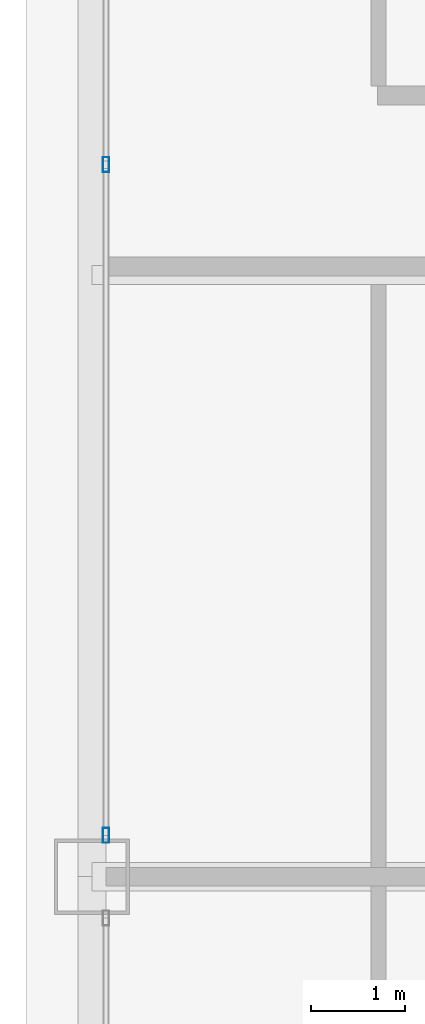
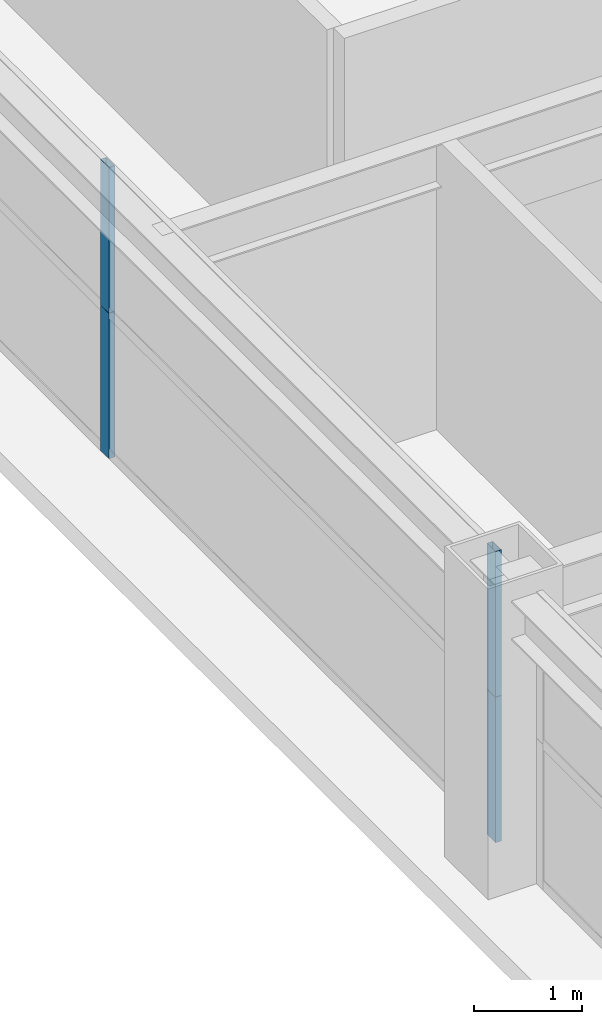
# One storey, part 18 of 45: 4 members, 1 element without a shape of its own.
"""IFC4 building model written with IfcOpenShell, lengths in metres."""

import ifcopenshell
import ifcopenshell.guid

model = None  # the IFC model being written
_history = None  # IfcOwnerHistory: only IFC2X3 demands one
_inside = {}  # id of a spatial element -> (the spatial element, [elements in it])
_under = {}  # id of a project, library or spatial element -> (it, [spatial elements below it])
_declared = {}  # id of a project -> (the project, [libraries it declares])
_typed = {}  # id of a type object -> (the type object, [elements of that type])
_made_of = {}  # id of a material, layer set ... -> (it, [elements and type objects made of it])


def new_model(schema):
    """Start an empty IFC model of exactly this schema.

    Asked for "IFC4X3", IfcOpenShell would pick the latest addendum, in which some entities
    have other attributes; the version numbers below select the first issue.
    IFC2X3 requires an IfcOwnerHistory on every rooted entity: one is made here for all.
    """
    global model, _history
    if schema == "IFC4X3":
        model = ifcopenshell.file(schema_version=(4, 3, 0, 0))
    else:
        model = ifcopenshell.file(schema=schema)
    _inside.clear()
    _under.clear()
    _declared.clear()
    _typed.clear()
    _made_of.clear()
    _history = None
    if model.schema == "IFC2X3":
        org = make("IfcOrganization", Name="unknown")
        user = make(
            "IfcPersonAndOrganization",
            ThePerson=make("IfcPerson", FamilyName="unknown"),
            TheOrganization=org,
        )
        app = make(
            "IfcApplication",
            ApplicationDeveloper=org,
            Version="unknown",
            ApplicationFullName="unknown",
            ApplicationIdentifier="unknown",
        )
        _history = make(
            "IfcOwnerHistory",
            OwningUser=user,
            OwningApplication=app,
            ChangeAction="ADDED",
            CreationDate=0,
        )
    return model


def make(cls, **values):
    """One entity of the class cls with the attributes given. An attribute that is None is left unset."""
    return model.create_entity(
        cls, **{name: value for name, value in values.items() if value is not None}
    )


def rooted(cls, **values):
    """An entity with a GlobalId (a new one), such as an element, a storey or a relation."""
    return make(cls, GlobalId=ifcopenshell.guid.new(), OwnerHistory=_history, **values)


def si_unit(unit_type, name, prefix=None):
    """IfcSIUnit, for example si_unit("LENGTHUNIT", "METRE", prefix="MILLI")."""
    return make("IfcSIUnit", UnitType=unit_type, Prefix=prefix, Name=name)


def assignment(units):
    """IfcUnitAssignment: the units of a project."""
    return None if units is None else make("IfcUnitAssignment", Units=units)


def point(xyz):
    """IfcCartesianPoint."""
    return None if xyz is None else make("IfcCartesianPoint", Coordinates=xyz)


def direction(xyz):
    """IfcDirection."""
    return None if xyz is None else make("IfcDirection", DirectionRatios=xyz)


def frame(location, z_axis=None, x_axis=None):
    """IfcAxis2Placement3D, a coordinate frame: its origin and axes. An axis left out is left unset."""
    return make(
        "IfcAxis2Placement3D",
        Location=point(location),
        Axis=direction(z_axis),
        RefDirection=direction(x_axis),
    )


def frame_2d(location, x_axis=None):
    """IfcAxis2Placement2D, a coordinate frame in the plane: its origin and x axis."""
    return make(
        "IfcAxis2Placement2D", Location=point(location), RefDirection=direction(x_axis)
    )


def origin():
    """The frame at (0, 0, 0) with its axes left unset."""
    return frame((0.0, 0.0, 0.0))


def origin_2d():
    """The frame at (0, 0) in the plane with its x axis left unset."""
    return frame_2d((0.0, 0.0))


def place(relative_to, where):
    """IfcLocalPlacement: puts the frame where relative to a parent placement (None: the world)."""
    return make(
        "IfcLocalPlacement", PlacementRelTo=relative_to, RelativePlacement=where
    )


def context(
    kind, dimensions, precision=None, world=None, true_north=None, identifier=None
):
    """IfcGeometricRepresentationContext, for example the 3D "Model" context."""
    return make(
        "IfcGeometricRepresentationContext",
        ContextIdentifier=identifier,
        ContextType=kind,
        CoordinateSpaceDimension=dimensions,
        Precision=precision,
        WorldCoordinateSystem=world,
        TrueNorth=true_north,
    )


def subcontext(parent, identifier, kind, view, scale=None):
    """IfcGeometricRepresentationSubContext, for example "Body" below "Model"."""
    return make(
        "IfcGeometricRepresentationSubContext",
        ContextIdentifier=identifier,
        ContextType=kind,
        ParentContext=parent,
        TargetScale=scale,
        TargetView=view,
    )


def project(units=None, contexts=None):
    """IfcProject with its units and contexts."""
    return rooted(
        "IfcProject",
        Name="project",
        RepresentationContexts=contexts,
        UnitsInContext=assignment(units),
    )


def spatial(cls, under=None, at=None, **own):
    """A site, building, storey or space (cls), placed at a placement, below another one or the project."""
    s = rooted(cls, ObjectPlacement=at, **own)
    if under is not None:
        _under.setdefault(under.id(), (under, []))[1].append(s)
    return s


def profile(cls, at=None, kind="AREA", **sizes):
    """A parametric profile (cls). Its sizes go by their IFC names, for example OverallWidth=200.0."""
    return make(cls, ProfileType=kind, Position=at, **sizes)


def hollow_rectangle(**sizes):
    """IfcRectangleHollowProfileDef."""
    return profile("IfcRectangleHollowProfileDef", **sizes)


def extrude(swept, where, along, depth):
    """IfcExtrudedAreaSolid: the profile swept, set in the frame where, extruded along a direction by depth."""
    return make(
        "IfcExtrudedAreaSolid",
        SweptArea=swept,
        Position=where,
        ExtrudedDirection=direction(along),
        Depth=depth,
    )


def shape(context_of_items, identifier, shape_type, items):
    """IfcShapeRepresentation: the items that make up one representation, for example the "Body"."""
    return make(
        "IfcShapeRepresentation",
        ContextOfItems=context_of_items,
        RepresentationIdentifier=identifier,
        RepresentationType=shape_type,
        Items=items,
    )


def source(mapping_origin, context_of_items, identifier, shape_type, items):
    """IfcRepresentationMap: a shape defined once, which mapped items show again and again."""
    return make(
        "IfcRepresentationMap",
        MappingOrigin=mapping_origin,
        MappedRepresentation=shape(context_of_items, identifier, shape_type, items),
    )


def transform(
    local_origin,
    x_axis=None,
    y_axis=None,
    z_axis=None,
    scale=None,
    scale2=None,
    scale3=None,
    uniform=True,
):
    """IfcCartesianTransformationOperator3D, or its non-uniform kind. x_axis, y_axis, z_axis: its Axis1, 2, 3."""
    if uniform:
        return make(
            "IfcCartesianTransformationOperator3D",
            Axis1=direction(x_axis),
            Axis2=direction(y_axis),
            LocalOrigin=point(local_origin),
            Scale=scale,
            Axis3=direction(z_axis),
        )
    return make(
        "IfcCartesianTransformationOperator3DnonUniform",
        Axis1=direction(x_axis),
        Axis2=direction(y_axis),
        LocalOrigin=point(local_origin),
        Scale=scale,
        Axis3=direction(z_axis),
        Scale2=scale2,
        Scale3=scale3,
    )


def mapped(mapping_source, mapping_target):
    """IfcMappedItem: shows the shape of a source again, moved by a transform."""
    return make(
        "IfcMappedItem", MappingSource=mapping_source, MappingTarget=mapping_target
    )


def material(Name=None, Category=None):
    """IfcMaterial."""
    return make("IfcMaterial", Name=Name, Category=Category)


def layer(
    of_material, thickness, ventilated=None, Name=None, Category=None, Priority=None
):
    """IfcMaterialLayer: one layer of a wall or slab, of a material (None: an air gap)."""
    return make(
        "IfcMaterialLayer",
        Material=of_material,
        LayerThickness=thickness,
        IsVentilated=ventilated,
        Name=Name,
        Category=Category,
        Priority=Priority,
    )


def layer_set(layers, Name=None):
    """IfcMaterialLayerSet."""
    return make("IfcMaterialLayerSet", MaterialLayers=layers, LayerSetName=Name)


def material_profile(
    of_material, cross_section, Name=None, Category=None, Priority=None
):
    """IfcMaterialProfile: a cross section and its material."""
    return make(
        "IfcMaterialProfile",
        Name=Name,
        Material=of_material,
        Profile=cross_section,
        Priority=Priority,
        Category=Category,
    )


def profile_set(profiles, Name=None, composite=None):
    """IfcMaterialProfileSet."""
    return make(
        "IfcMaterialProfileSet",
        Name=Name,
        MaterialProfiles=profiles,
        CompositeProfile=composite,
    )


def made_of(thing, what):
    """Note that an element or type object is made of a material, layer set ...; save() writes the relation."""
    if what is not None:
        _made_of.setdefault(what.id(), (what, []))[1].append(thing)
    return thing


def type_object(cls, material=None, **own):
    """A type object (cls), such as IfcWallType, which elements share."""
    return made_of(rooted(cls, **own), material)


def element(
    cls,
    number,
    at=None,
    inside=None,
    cuts=None,
    type_object=None,
    material=None,
    context=None,
    identifier="Body",
    shape_type=None,
    held_by="IfcProductDefinitionShape",
    body=None,
    shapes=None,
    **own,
):
    """One element of the class cls, such as IfcWall. Its Tag is "e" and its number.

    at: its placement. inside: the storey or other place that contains it. cuts: it is an
    opening in that element (IfcRelVoidsElement). A single representation is given by context,
    identifier, shape_type and body (its items); several are given by shapes. held_by: the class
    of the entity that holds the representations. save() writes the other relations.
    """
    e = rooted(cls, Tag="e%d" % number, ObjectPlacement=at, **own)
    if body is not None:
        shapes = [shape(context, identifier, shape_type, body)]
    if shapes is not None:
        e.Representation = make(held_by, Representations=shapes)
    if inside is not None:
        _inside.setdefault(inside.id(), (inside, []))[1].append(e)
    if cuts is not None:
        rooted(
            "IfcRelVoidsElement", RelatingBuildingElement=cuts, RelatedOpeningElement=e
        )
    if type_object is not None:
        _typed.setdefault(type_object.id(), (type_object, []))[1].append(e)
    return made_of(e, material)


def aggregate(whole, parts):
    """IfcRelAggregates: a whole, such as a stair, and the parts it consists of."""
    return rooted("IfcRelAggregates", RelatingObject=whole, RelatedObjects=parts)


def save(model, path):
    """Write the relations noted so far, then the file.

    IfcRelAggregates (storeys below a building ...), IfcRelContainedInSpatialStructure (elements
    in a storey), IfcRelDefinesByType, IfcRelAssociatesMaterial and IfcRelDeclares: one each for
    every whole, place, type object, material and project.
    """
    for whole, parts in _under.values():
        aggregate(whole, parts)
    for where, things in _inside.values():
        rooted(
            "IfcRelContainedInSpatialStructure",
            RelatedElements=things,
            RelatingStructure=where,
        )
    for kind, things in _typed.values():
        rooted("IfcRelDefinesByType", RelatedObjects=things, RelatingType=kind)
    for what, things in _made_of.values():
        rooted("IfcRelAssociatesMaterial", RelatedObjects=things, RelatingMaterial=what)
    for by, libraries in _declared.values():
        rooted("IfcRelDeclares", RelatingContext=by, RelatedDefinitions=libraries)
    model.write(path)


model = new_model("IFC4")

# Units and contexts
model_context = context("Model", 3, precision=1e-05, world=origin(), true_north=direction((0.0, 1.0)))
body_context = subcontext(model_context, "Body", "Model", "MODEL_VIEW")
ifc_project = project(units=[si_unit("LENGTHUNIT", "METRE"), si_unit("AREAUNIT", "SQUARE_METRE"), si_unit("VOLUMEUNIT", "CUBIC_METRE"), si_unit("PLANEANGLEUNIT", "RADIAN"), si_unit("MASSUNIT", "GRAM", prefix="KILO"), si_unit("THERMODYNAMICTEMPERATUREUNIT", "KELVIN"), si_unit("POWERUNIT", "WATT")], contexts=[model_context])

# Site, building, storey
site_placement = place(None, origin())
site = spatial("IfcSite", under=ifc_project, at=site_placement, CompositionType="ELEMENT")
building_placement = place(site_placement, origin())
building = spatial("IfcBuilding", under=site, at=building_placement, Name="Yuzanri Waterfront Tower", CompositionType="ELEMENT")
storey_placement = place(building_placement, frame((0.0, 0.0, 191.5)))
storey = spatial("IfcBuildingStorey", under=building, at=storey_placement, Name="L50", CompositionType="ELEMENT", Elevation=191.5)

# Curtain wall, members
ifc_material_1 = material(Name="Anodized Architectural Bronze", Category="metal")
ifc_layer = layer(ifc_material_1, 0.159912109375)
ifc_layer_set = layer_set([ifc_layer], Name="Anodized Architectural Bronze")
curtain_wall_type = type_object("IfcCurtainWallType", Name="Anodized Bronze Mid-Rise Residential Acoustic Unitized Curtain Wall 7200", PredefinedType="NOTDEFINED", material=ifc_layer_set)
curtain_wall_placement = place(storey_placement, origin())
curtain_wall = element("IfcCurtainWall", 1, at=curtain_wall_placement, inside=storey, type_object=curtain_wall_type, Name="L50 Curtain Wall CW-L50-WR", PredefinedType="NOTDEFINED")
ifc_material_2 = material(Name="Anodized Architectural Bronze", Category="metal")
ifc_material_profile = material_profile(ifc_material_2, hollow_rectangle(XDim=0.06494140625, YDim=0.159912109375, WallThickness=0.00341796875, at=origin_2d()), Name="CWM 65x160")
ifc_profile_set = profile_set([ifc_material_profile], Name="Anodized Architectural Bronze")
member_type = type_object("IfcMemberType", Name="Anodized Bronze Upper-Zone Curtain-Wall Mullion 65x160", PredefinedType="MULLION", material=ifc_profile_set)
shared_shape = source(origin(), body_context, "Body", "SweptSolid", [
    extrude(hollow_rectangle(XDim=0.06494140625, YDim=0.159912109375, WallThickness=0.00341796875, at=origin_2d()), origin(), (0.0, 0.0, 1.0), 1.637939453125),
])
member_1_placement = place(storey_placement, frame((15.050048828125, 26.239990234375, 0.0), z_axis=(0.0, 0.0, 1.0), x_axis=(1.0, 0.0, 0.0)))
member_1 = element("IfcMember", 2, at=member_1_placement, type_object=member_type, Name="CW-L50-WR Lower Mullion 00", PredefinedType="MULLION", context=body_context, shape_type="MappedRepresentation", body=[
    mapped(shared_shape, transform((0.0, 0.0, 0.0), scale=1.0)),
])
member_2_placement = place(storey_placement, frame((15.050048828125, 26.239990234375, 1.64208984375), z_axis=(0.0, 0.0, 1.0), x_axis=(1.0, 0.0, 0.0)))
member_2 = element("IfcMember", 3, at=member_2_placement, type_object=member_type, Name="CW-L50-WR Upper Mullion 00", PredefinedType="MULLION", context=body_context, shape_type="MappedRepresentation", body=[
    mapped(shared_shape, transform((0.0, 0.0, 0.0), scale=1.0)),
])
member_3_placement = place(storey_placement, frame((15.050048828125, 33.375, 0.0), z_axis=(0.0, 0.0, 1.0), x_axis=(1.0, 0.0, 0.0)))
member_3 = element("IfcMember", 4, at=member_3_placement, type_object=member_type, Name="CW-L50-WR Lower Mullion 01", PredefinedType="MULLION", context=body_context, shape_type="MappedRepresentation", body=[
    mapped(shared_shape, transform((0.0, 0.0, 0.0), scale=1.0)),
])
member_4_placement = place(storey_placement, frame((15.050048828125, 33.375, 1.64208984375), z_axis=(0.0, 0.0, 1.0), x_axis=(1.0, 0.0, 0.0)))
member_4 = element("IfcMember", 5, at=member_4_placement, type_object=member_type, Name="CW-L50-WR Upper Mullion 01", PredefinedType="MULLION", context=body_context, shape_type="MappedRepresentation", body=[
    mapped(shared_shape, transform((0.0, 0.0, 0.0), scale=1.0)),
])
aggregate(curtain_wall, [member_1, member_2, member_3, member_4])

save(model, "model.ifc")
